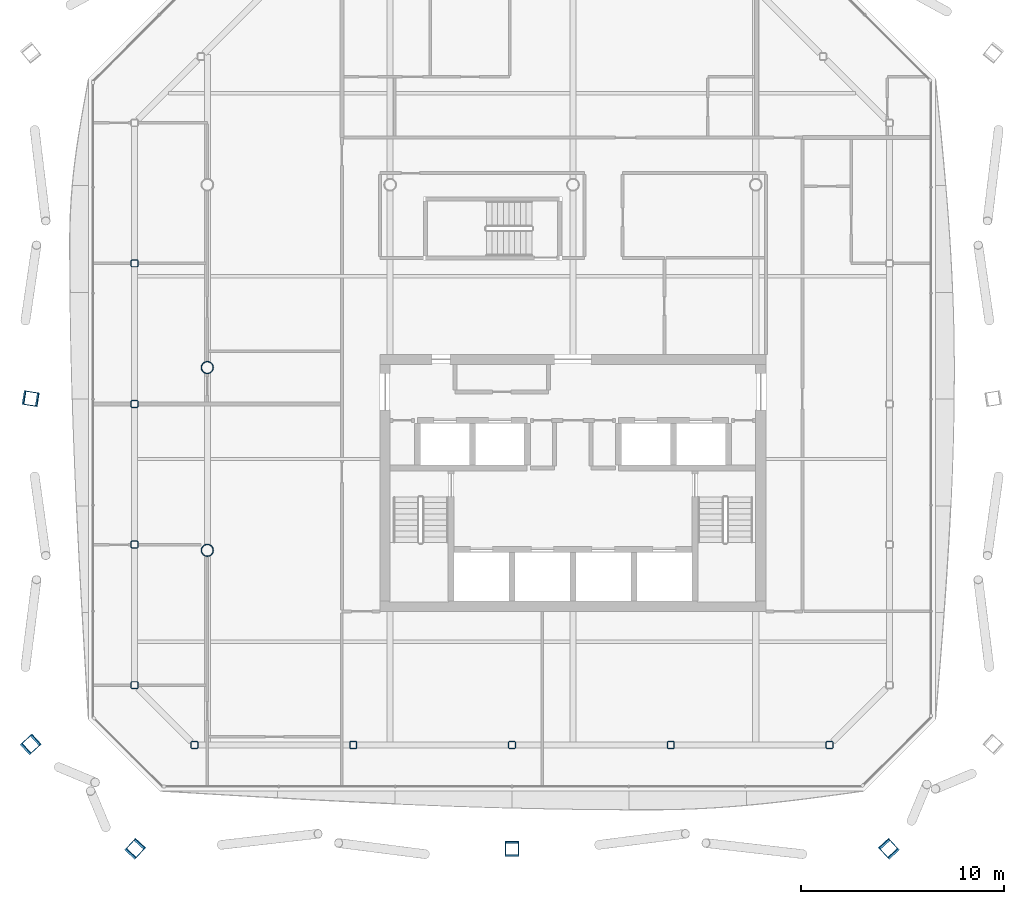
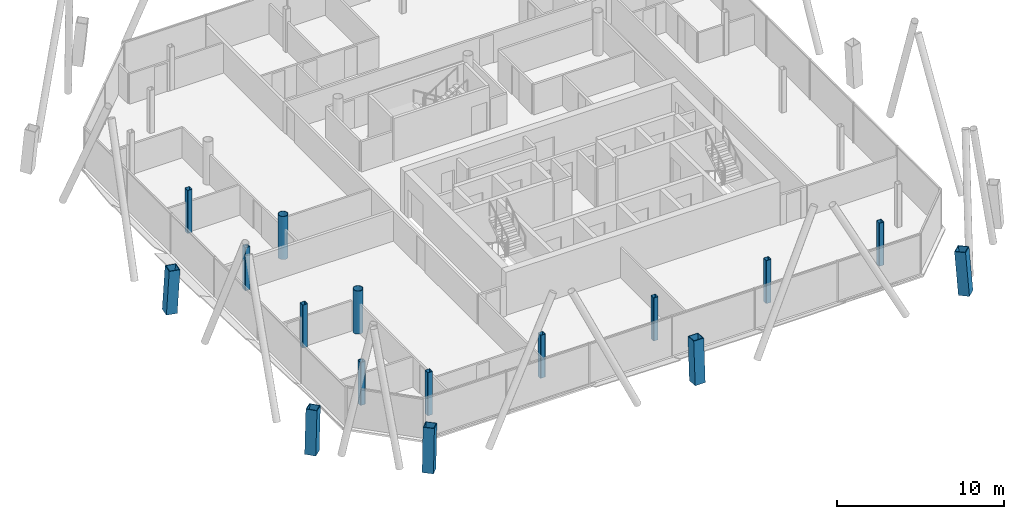
# One storey, part 1 of 20: 16 columns.
"""IFC4 building model written with IfcOpenShell, lengths in metres."""

from ifc_helpers import new_model, si_unit, direction, frame, origin, origin_2d, place, context, subcontext, project, spatial, hollow_rectangle, hollow_circle, extrude, material, material_profile, profile_set, type_object, element, save


model = new_model("IFC4")

# Units and contexts
model_context = context("Model", 3, precision=1e-05, world=origin(), true_north=direction((0.0, 1.0)))
body_context = subcontext(model_context, "Body", "Model", "MODEL_VIEW")
ifc_project = project(units=[si_unit("LENGTHUNIT", "METRE"), si_unit("AREAUNIT", "SQUARE_METRE"), si_unit("VOLUMEUNIT", "CUBIC_METRE"), si_unit("PLANEANGLEUNIT", "RADIAN"), si_unit("MASSUNIT", "GRAM", prefix="KILO")], contexts=[model_context])

# Site, building, storey
site_placement = place(None, origin())
site = spatial("IfcSite", under=ifc_project, at=site_placement, CompositionType="ELEMENT")
building_placement = place(site_placement, origin())
building = spatial("IfcBuilding", under=site, at=building_placement, Name="Tskaro Facet Tower", CompositionType="ELEMENT")
storey_placement = place(building_placement, frame((0.0, 0.0, 181.64990234375)))
storey = spatial("IfcBuildingStorey", under=building, at=storey_placement, Name="L45", CompositionType="ELEMENT", Elevation=181.64990234375)

# Columns
ifc_material_1 = material(Name="Steel S460M", Category="steel")
ifc_material_profile_1 = material_profile(ifc_material_1, hollow_rectangle(XDim=0.699951171875, YDim=0.699951171875, WallThickness=0.044921875, at=origin_2d()), Name="BOX 700x700x45")
ifc_profile_set_1 = profile_set([ifc_material_profile_1], Name="Steel S460M")
column_type_1 = type_object("IfcColumnType", Name="BOX 700x700x45 mega column", PredefinedType="COLUMN", material=ifc_profile_set_1)
column_1_placement = place(storey_placement, frame((-21.5849609375, -23.72802734375, 0.0), z_axis=(0.052848592293, 0.05763896177, 0.996937699347), x_axis=(-0.737072109445, 0.675814105711, 0.0)))
element("IfcColumn", 1, at=column_1_placement, inside=storey, type_object=column_type_1, Name="BOX 700x700x45 MC01/4", PredefinedType="COLUMN", context=body_context, shape_type="SweptSolid", body=[
    extrude(hollow_rectangle(XDim=0.699951171875, YDim=0.699951171875, WallThickness=0.044921875, at=origin_2d()), origin(), (0.0, 0.0, 1.0), 3.159912109375),
])
column_2_placement = place(storey_placement, frame((-3.0, -23.72802734375, 0.0), z_axis=(0.0, 0.057719622824, 0.998332832847), x_axis=(-1.0, 0.0, 0.0)))
element("IfcColumn", 2, at=column_2_placement, inside=storey, type_object=column_type_1, Name="BOX 700x700x45 MC02/4", PredefinedType="COLUMN", context=body_context, shape_type="SweptSolid", body=[
    extrude(hollow_rectangle(XDim=0.699951171875, YDim=0.699951171875, WallThickness=0.044921875, at=origin_2d()), origin(), (0.0, 0.0, 1.0), 3.155517578125),
])
column_3_placement = place(storey_placement, frame((15.5849609375, -23.72802734375, 0.0), z_axis=(-0.052848592293, 0.05763896177, 0.996937699347), x_axis=(-0.737072109445, -0.675814105711, 0.0)))
element("IfcColumn", 3, at=column_3_placement, inside=storey, type_object=column_type_1, Name="BOX 700x700x45 MC03/4", PredefinedType="COLUMN", context=body_context, shape_type="SweptSolid", body=[
    extrude(hollow_rectangle(XDim=0.699951171875, YDim=0.699951171875, WallThickness=0.044921875, at=origin_2d()), origin(), (0.0, 0.0, 1.0), 3.159912109375),
])
column_4_placement = place(storey_placement, frame((-26.72802734375, -1.52490234375, 0.0), z_axis=(0.057717176415, -0.009206895434, 0.998290519149), x_axis=(0.157525830017, 0.987514867168, 0.0)))
element("IfcColumn", 4, at=column_4_placement, inside=storey, type_object=column_type_1, Name="BOX 700x700x45 MC11/4", PredefinedType="COLUMN", context=body_context, shape_type="SweptSolid", body=[
    extrude(hollow_rectangle(XDim=0.699951171875, YDim=0.699951171875, WallThickness=0.044921875, at=origin_2d()), origin(), (0.0, 0.0, 1.0), 3.155517578125),
])
column_5_placement = place(storey_placement, frame((-26.72802734375, -18.5849609375, 0.0), z_axis=(0.05763896177, 0.052848592293, 0.996937699347), x_axis=(-0.675814105711, 0.737072109445, 0.0)))
element("IfcColumn", 5, at=column_5_placement, inside=storey, type_object=column_type_1, Name="BOX 700x700x45 MC12/4", PredefinedType="COLUMN", context=body_context, shape_type="SweptSolid", body=[
    extrude(hollow_rectangle(XDim=0.699951171875, YDim=0.699951171875, WallThickness=0.044921875, at=origin_2d()), origin(), (0.0, 0.0, 1.0), 3.159912109375),
])
ifc_material_2 = material(Name="Steel S355J2H", Category="steel")
ifc_material_profile_2 = material_profile(ifc_material_2, hollow_circle(Radius=0.304931640625, WallThickness=0.030029296875, at=origin_2d()), Name="CHS 610x30")
ifc_profile_set_2 = profile_set([ifc_material_profile_2], Name="Steel S355J2H")
column_type_2 = type_object("IfcColumnType", Name="CHS 610x30 interior column", PredefinedType="COLUMN", material=ifc_profile_set_2)
for number, where, z_axis, x_axis, name in (
    (6, (-18.0, -9.0, 0.0), (0.0, 0.0, 1.0), (1.0, 0.0, 0.0), "CHS 610x30 C2C/4"),
    (7, (-18.0, 0.0, 0.0), (0.0, 0.0, 1.0), (1.0, 0.0, 0.0), "CHS 610x30 C2D/4"),
):
    element("IfcColumn", number, at=place(storey_placement, frame(where, z_axis=z_axis, x_axis=x_axis)), inside=storey, type_object=column_type_2, Name=name, PredefinedType="COLUMN", context=body_context, shape_type="SweptSolid", body=[
        extrude(hollow_circle(Radius=0.304931640625, WallThickness=0.030029296875, at=origin_2d()), origin(), (0.0, 0.0, 1.0), 3.150146484375),
    ])
ifc_material_profile_3 = material_profile(ifc_material_2, hollow_rectangle(XDim=0.35009765625, YDim=0.35009765625, WallThickness=0.02001953125, InnerFilletRadius=0.030029296875, OuterFilletRadius=0.050048828125, at=origin_2d()), Name="SHS 350x350x20")
ifc_profile_set_3 = profile_set([ifc_material_profile_3], Name="Steel S355J2H")
column_type_3 = type_object("IfcColumnType", Name="SHS 350x350x20 ring column", PredefinedType="COLUMN", material=ifc_profile_set_3)
for number, where, z_axis, x_axis, name in (
    (8, (-18.633056640625, -18.5830078125, 0.0), (0.0, 0.0, 1.0), (1.0, 0.0, 0.0), "SHS 350x350x20 RS-1/4"),
    (9, (-10.81591796875, -18.5830078125, 0.0), (0.0, 0.0, 1.0), (1.0, 0.0, 0.0), "SHS 350x350x20 RS-2/4"),
    (10, (-3.0, -18.5830078125, 0.0), (0.0, 0.0, 1.0), (1.0, 0.0, 0.0), "SHS 350x350x20 RS-3/4"),
    (11, (4.81689453125, -18.5830078125, 0.0), (0.0, 0.0, 1.0), (1.0, 0.0, 0.0), "SHS 350x350x20 RS-4/4"),
    (12, (12.633056640625, -18.5830078125, 0.0), (0.0, 0.0, 1.0), (1.0, 0.0, 0.0), "SHS 350x350x20 RSE-1/4"),
    (13, (-21.5830078125, 5.1259765625, 0.0), (0.0, 0.0, 1.0), (1.0, 0.0, 0.0), "SHS 350x350x20 RW-2/4"),
    (14, (-21.5830078125, -1.79296875, 0.0), (0.0, 0.0, 1.0), (1.0, 0.0, 0.0), "SHS 350x350x20 RW-3/4"),
    (15, (-21.5830078125, -8.712890625, 0.0), (0.0, 0.0, 1.0), (1.0, 0.0, 0.0), "SHS 350x350x20 RW-4/4"),
    (16, (-21.5830078125, -15.633056640625, 0.0), (0.0, 0.0, 1.0), (1.0, 0.0, 0.0), "SHS 350x350x20 RSW-1/4"),
):
    element("IfcColumn", number, at=place(storey_placement, frame(where, z_axis=z_axis, x_axis=x_axis)), inside=storey, type_object=column_type_3, Name=name, PredefinedType="COLUMN", context=body_context, shape_type="SweptSolid", body=[
        extrude(hollow_rectangle(XDim=0.35009765625, YDim=0.35009765625, WallThickness=0.02001953125, InnerFilletRadius=0.030029296875, OuterFilletRadius=0.050048828125, at=origin_2d()), origin(), (0.0, 0.0, 1.0), 3.150146484375),
    ])

save(model, "model.ifc")
